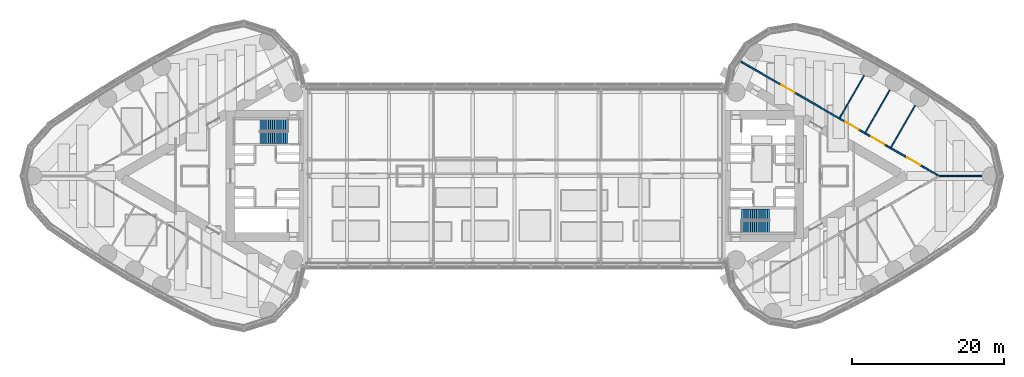
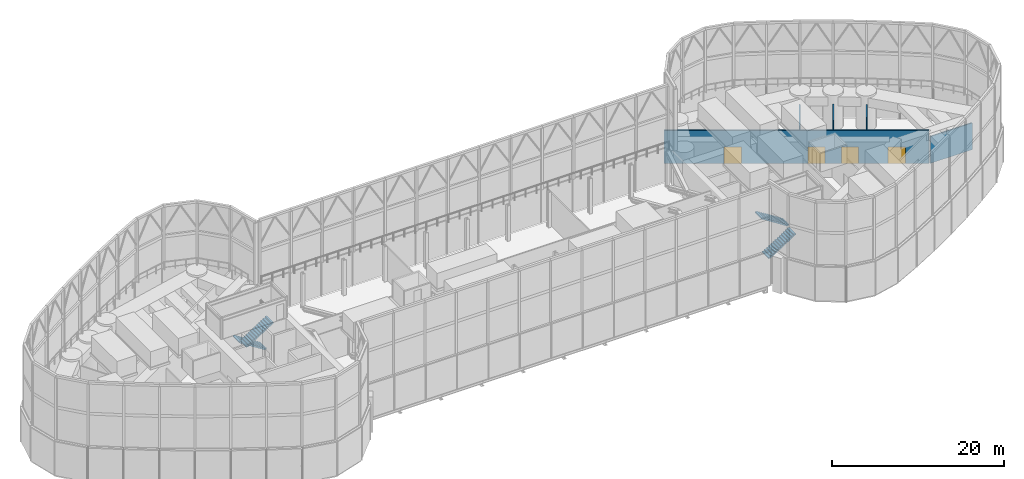
# One storey, part 30 of 33: 5 walls, 4 doors, 4 stair flights, 4 openings, 2 elements without a shape of their own.
"""IFC4 building model written with IfcOpenShell, lengths in metres."""

from ifc_helpers import new_model, si_unit, direction, frame, frame_2d, origin, place, context, subcontext, project, spatial, polyline, rectangle, outline, extrude, material, layer, layer_set, type_object, element, fill, aggregate, save


model = new_model("IFC4")

# Units and contexts
model_context = context("Model", 3, precision=1e-05, world=origin(), true_north=direction((0.0, 1.0)))
body_context = subcontext(model_context, "Body", "Model", "MODEL_VIEW")
ifc_project = project(units=[si_unit("LENGTHUNIT", "METRE"), si_unit("AREAUNIT", "SQUARE_METRE"), si_unit("VOLUMEUNIT", "CUBIC_METRE"), si_unit("PLANEANGLEUNIT", "RADIAN"), si_unit("MASSUNIT", "GRAM", prefix="KILO")], contexts=[model_context])

# Site, building, storey
site_placement = place(None, origin())
site = spatial("IfcSite", under=ifc_project, at=site_placement, CompositionType="ELEMENT")
building_placement = place(site_placement, origin())
building = spatial("IfcBuilding", under=site, at=building_placement, Name="Lancet Gate Hotel", CompositionType="ELEMENT")
storey_placement = place(building_placement, frame((0.0, 0.0, 268.300048828125)))
storey = spatial("IfcBuildingStorey", under=building, at=storey_placement, Name="L70", CompositionType="ELEMENT", Elevation=268.300048828125)

# Wall, openings, doors
ifc_material_1 = material(Name="Gypsum board partition")
ifc_layer_1 = layer(ifc_material_1, 0.199951171875)
ifc_layer_set_1 = layer_set([ifc_layer_1], Name="Corridor wall 200")
wall_type_1 = type_object("IfcWallType", Name="Corridor wall 200", PredefinedType="PARTITIONING", material=ifc_layer_set_1)
wall_1_placement = place(storey_placement, frame((28.958984375, 15.440185546875, 0.0), z_axis=(0.0, 0.0, 1.0), x_axis=(0.866027378611, -0.499996579484, 0.0)))
wall_1 = element("IfcWall", 1, at=wall_1_placement, inside=storey, type_object=wall_type_1, Name="T2 corridor wall 200 L70", PredefinedType="PARTITIONING", context=body_context, shape_type="SweptSolid", body=[
    extrude(rectangle(XDim=30.760498046875, YDim=0.199951171875, at=frame_2d((15.38037109375, 0.0))), origin(), (0.0, 0.0, 1.0), 4.699951171875),
])
opening_1_placement = place(wall_1_placement, frame((26.03173828125, 0.0, 0.0)))
opening_1 = element("IfcOpeningElement", 2, at=opening_1_placement, cuts=wall_1, Name="Opening T2-L70-K205", PredefinedType="OPENING", context=body_context, shape_type="SweptSolid", body=[
    extrude(rectangle(XDim=2.0, YDim=2.39990234375, at=frame_2d((1.0, 1.199951171875))), frame((0.0, 0.10986328125, 0.0), z_axis=(0.0, -1.0, 0.0), x_axis=(1.0, 0.0, 0.0)), (0.0, 0.0, 1.0), 0.219970703125),
])
opening_2_placement = place(wall_1_placement, frame((20.587158203125, 0.0, 0.0)))
opening_2 = element("IfcOpeningElement", 3, at=opening_2_placement, cuts=wall_1, Name="Opening T2-L70-K206", PredefinedType="OPENING", context=body_context, shape_type="SweptSolid", body=[
    extrude(rectangle(XDim=2.0, YDim=2.39990234375, at=frame_2d((1.0, 1.199951171875))), frame((0.0, 0.10986328125, 0.0), z_axis=(0.0, -1.0, 0.0), x_axis=(1.0, 0.0, 0.0)), (0.0, 0.0, 1.0), 0.219970703125),
])
opening_3_placement = place(wall_1_placement, frame((16.7041015625, 0.0, 0.0)))
opening_3 = element("IfcOpeningElement", 4, at=opening_3_placement, cuts=wall_1, Name="Opening T2-L70-K207", PredefinedType="OPENING", context=body_context, shape_type="SweptSolid", body=[
    extrude(rectangle(XDim=2.0, YDim=2.39990234375, at=frame_2d((1.0, 1.199951171875))), frame((0.0, 0.10986328125, 0.0), z_axis=(0.0, -1.0, 0.0), x_axis=(1.0, 0.0, 0.0)), (0.0, 0.0, 1.0), 0.219970703125),
])
opening_4_placement = place(wall_1_placement, frame((6.99365234375, 0.0, 0.0)))
opening_4 = element("IfcOpeningElement", 5, at=opening_4_placement, cuts=wall_1, Name="Opening T2-L70-K208", PredefinedType="OPENING", context=body_context, shape_type="SweptSolid", body=[
    extrude(rectangle(XDim=2.0, YDim=2.39990234375, at=frame_2d((1.0, 1.199951171875))), frame((0.0, 0.10986328125, 0.0), z_axis=(0.0, -1.0, 0.0), x_axis=(1.0, 0.0, 0.0)), (0.0, 0.0, 1.0), 0.219970703125),
])
ifc_material_2 = material(Name="Timber door set", Category="wood")
door_type = type_object("IfcDoorType", Name="Plant room double door 2000", OperationType="DOUBLE_DOOR_SINGLE_SWING", PredefinedType="DOOR", material=ifc_material_2)
door_1_placement = place(opening_1_placement, origin())
door_1 = element("IfcDoor", 6, at=door_1_placement, inside=storey, type_object=door_type, Name="T2-L70-K205", OperationType="DOUBLE_DOOR_SINGLE_SWING", OverallHeight=2.39990234375, OverallWidth=2.0, PredefinedType="DOOR", context=body_context, shape_type="SweptSolid", body=[
    extrude(rectangle(XDim=2.0, YDim=2.39990234375, at=frame_2d((1.0, 1.199951171875))), frame((0.0, 0.02490234375, 0.0), z_axis=(0.0, -1.0, 0.0), x_axis=(1.0, 0.0, 0.0)), (0.0, 0.0, 1.0), 0.050048828125),
])
fill(opening_1, door_1)
door_2_placement = place(opening_2_placement, origin())
door_2 = element("IfcDoor", 7, at=door_2_placement, inside=storey, type_object=door_type, Name="T2-L70-K206", OperationType="DOUBLE_DOOR_SINGLE_SWING", OverallHeight=2.39990234375, OverallWidth=2.0, PredefinedType="DOOR", context=body_context, shape_type="SweptSolid", body=[
    extrude(rectangle(XDim=2.0, YDim=2.39990234375, at=frame_2d((1.0, 1.199951171875))), frame((0.0, 0.02490234375, 0.0), z_axis=(0.0, -1.0, 0.0), x_axis=(1.0, 0.0, 0.0)), (0.0, 0.0, 1.0), 0.050048828125),
])
fill(opening_2, door_2)
door_3_placement = place(opening_3_placement, origin())
door_3 = element("IfcDoor", 8, at=door_3_placement, inside=storey, type_object=door_type, Name="T2-L70-K207", OperationType="DOUBLE_DOOR_SINGLE_SWING", OverallHeight=2.39990234375, OverallWidth=2.0, PredefinedType="DOOR", context=body_context, shape_type="SweptSolid", body=[
    extrude(rectangle(XDim=2.0, YDim=2.39990234375, at=frame_2d((1.0, 1.199951171875))), frame((0.0, 0.02490234375, 0.0), z_axis=(0.0, -1.0, 0.0), x_axis=(1.0, 0.0, 0.0)), (0.0, 0.0, 1.0), 0.050048828125),
])
fill(opening_3, door_3)
door_4_placement = place(opening_4_placement, origin())
door_4 = element("IfcDoor", 9, at=door_4_placement, inside=storey, type_object=door_type, Name="T2-L70-K208", OperationType="DOUBLE_DOOR_SINGLE_SWING", OverallHeight=2.39990234375, OverallWidth=2.0, PredefinedType="DOOR", context=body_context, shape_type="SweptSolid", body=[
    extrude(rectangle(XDim=2.0, YDim=2.39990234375, at=frame_2d((1.0, 1.199951171875))), frame((0.0, 0.02490234375, 0.0), z_axis=(0.0, -1.0, 0.0), x_axis=(1.0, 0.0, 0.0)), (0.0, 0.0, 1.0), 0.050048828125),
])
fill(opening_4, door_4)

# Walls
ifc_material_3 = material(Name="Gypsum board partition")
ifc_layer_2 = layer(ifc_material_3, 0.14990234375)
ifc_layer_set_2 = layer_set([ifc_layer_2], Name="Party wall 150")
wall_type_2 = type_object("IfcWallType", Name="Party wall 150", PredefinedType="PARTITIONING", material=ifc_layer_set_2)
wall_2_placement = place(storey_placement, frame((42.65966796875, 7.6455078125, 0.0), z_axis=(0.0, 0.0, 1.0), x_axis=(0.499996592859, 0.866027370889, 0.0)))
element("IfcWall", 10, at=wall_2_placement, inside=storey, type_object=wall_type_2, Name="T2 party wall 150 L70", PredefinedType="PARTITIONING", context=body_context, shape_type="SweptSolid", body=[
    extrude(rectangle(XDim=6.3984375, YDim=0.14990234375, at=frame_2d((3.19921875, 0.0))), origin(), (0.0, 0.0, 1.0), 3.800048828125),
])
wall_3_placement = place(storey_placement, frame((46.02294921875, 5.703857421875, 0.0), z_axis=(0.0, 0.0, 1.0), x_axis=(0.499984478165, 0.866034365135, 0.0)))
element("IfcWall", 11, at=wall_3_placement, inside=storey, type_object=wall_type_2, Name="T2 party wall 150 L70", PredefinedType="PARTITIONING", context=body_context, shape_type="SweptSolid", body=[
    extrude(rectangle(XDim=6.425537109375, YDim=0.14990234375, at=frame_2d((3.212890625, 0.0))), origin(), (0.0, 0.0, 1.0), 3.800048828125),
])
wall_4_placement = place(storey_placement, frame((49.38525390625, 3.7626953125, 0.0), z_axis=(0.0, 0.0, 1.0), x_axis=(0.499999447814, 0.866025722589, 0.0)))
element("IfcWall", 12, at=wall_4_placement, inside=storey, type_object=wall_type_2, Name="T2 party wall 150 L70", PredefinedType="PARTITIONING", context=body_context, shape_type="SweptSolid", body=[
    extrude(rectangle(XDim=6.33251953125, YDim=0.14990234375, at=frame_2d((3.166259765625, 0.0))), origin(), (0.0, 0.0, 1.0), 3.800048828125),
])
wall_5_placement = place(storey_placement, frame((55.7021484375, 0.0, 0.0), z_axis=(0.0, 0.0, 1.0), x_axis=(1.0, 0.0, 0.0)))
element("IfcWall", 13, at=wall_5_placement, inside=storey, type_object=wall_type_2, Name="T2 party wall 150 L70", PredefinedType="PARTITIONING", context=body_context, shape_type="SweptSolid", body=[
    extrude(rectangle(XDim=5.619384765625, YDim=0.14990234375, at=frame_2d((2.8095703125, 0.0))), origin(), (0.0, 0.0, 1.0), 3.800048828125),
])

# Stair, stair flights
ifc_material_4 = material(Name="Exit stair 28 risers 1500")
stair_type = type_object("IfcStairType", Name="Exit stair 28 risers 1500", PredefinedType="HALF_TURN_STAIR", material=ifc_material_4)
stair_1_placement = place(storey_placement, origin())
stair_1 = element("IfcStair", 14, at=stair_1_placement, inside=storey, type_object=stair_type, Name="T1 stair 1 L70", PredefinedType="HALF_TURN_STAIR")
ifc_material_5 = material(Name="Stair flight 14 risers 179 rise 1500")
stair_flight_type = type_object("IfcStairFlightType", Name="Stair flight 14 risers 179 rise 1500", PredefinedType="STRAIGHT", material=ifc_material_5)
stair_flight_1_placement = place(storey_placement, frame((-29.800048828125, 6.64990234375, 0.0), z_axis=(0.0, 0.0, 1.0), x_axis=(-1.0, 0.0, 0.0)))
stair_flight_1 = element("IfcStairFlight", 15, at=stair_flight_1_placement, type_object=stair_flight_type, Name="ST1 flight 1", NumberOfRisers=14, NumberOfTreads=13, PredefinedType="STRAIGHT", RiserHeight=0.178571429, TreadLength=0.28, context=body_context, shape_type="SweptSolid", body=[
    extrude(outline(polyline([(0.0, 0.0), (0.0, 0.178466796875), (0.280029296875, 0.178466796875), (0.280029296875, 0.357177734375), (0.56005859375, 0.357177734375), (0.56005859375, 0.53564453125), (0.840087890625, 0.53564453125), (0.840087890625, 0.71435546875), (1.1201171875, 0.71435546875), (1.1201171875, 0.892822265625), (1.39990234375, 0.892822265625), (1.39990234375, 1.071533203125), (1.679931640625, 1.071533203125), (1.679931640625, 1.25), (1.9599609375, 1.25), (1.9599609375, 1.428466796875), (2.239990234375, 1.428466796875), (2.239990234375, 1.607177734375), (2.52001953125, 1.607177734375), (2.52001953125, 1.78564453125), (2.800048828125, 1.78564453125), (2.800048828125, 1.96435546875), (3.080078125, 1.96435546875), (3.080078125, 2.142822265625), (3.360107421875, 2.142822265625), (3.360107421875, 2.321533203125), (3.639892578125, 2.321533203125), (3.639892578125, 2.5), (3.639892578125, 2.1435546875), (0.27880859375, 0.0), (0.0, 0.0)])), frame((0.0, 0.75, 0.0), z_axis=(0.0, -1.0, 0.0), x_axis=(1.0, 0.0, 0.0)), (0.0, 0.0, 1.0), 1.5),
])
stair_flight_2_placement = place(storey_placement, frame((-33.43994140625, 5.050048828125, 2.5), z_axis=(0.0, 0.0, 1.0), x_axis=(1.0, 0.0, 0.0)))
stair_flight_2 = element("IfcStairFlight", 16, at=stair_flight_2_placement, type_object=stair_flight_type, Name="ST1 flight 2", NumberOfRisers=14, NumberOfTreads=13, PredefinedType="STRAIGHT", RiserHeight=0.178571429, TreadLength=0.28, context=body_context, shape_type="SweptSolid", body=[
    extrude(outline(polyline([(0.0, 0.0), (0.0, 0.178466796875), (0.280029296875, 0.178466796875), (0.280029296875, 0.357177734375), (0.56005859375, 0.357177734375), (0.56005859375, 0.53564453125), (0.840087890625, 0.53564453125), (0.840087890625, 0.71435546875), (1.1201171875, 0.71435546875), (1.1201171875, 0.892822265625), (1.39990234375, 0.892822265625), (1.39990234375, 1.071533203125), (1.679931640625, 1.071533203125), (1.679931640625, 1.25), (1.9599609375, 1.25), (1.9599609375, 1.428466796875), (2.239990234375, 1.428466796875), (2.239990234375, 1.607177734375), (2.52001953125, 1.607177734375), (2.52001953125, 1.78564453125), (2.800048828125, 1.78564453125), (2.800048828125, 1.96435546875), (3.080078125, 1.96435546875), (3.080078125, 2.142822265625), (3.360107421875, 2.142822265625), (3.360107421875, 2.321533203125), (3.639892578125, 2.321533203125), (3.639892578125, 2.5), (3.639892578125, 2.1435546875), (0.27880859375, 0.0), (0.0, 0.0)])), frame((0.0, 0.75, 0.0), z_axis=(0.0, -1.0, 0.0), x_axis=(1.0, 0.0, 0.0)), (0.0, 0.0, 1.0), 1.5),
])
aggregate(stair_1, [stair_flight_1, stair_flight_2])

stair_2_placement = place(storey_placement, origin())
stair_2 = element("IfcStair", 17, at=stair_2_placement, inside=storey, type_object=stair_type, Name="T2 stair 1 L70", PredefinedType="HALF_TURN_STAIR")
stair_flight_3_placement = place(storey_placement, frame((29.800048828125, -6.64990234375, 0.0), z_axis=(0.0, 0.0, 1.0), x_axis=(1.0, 0.0, 0.0)))
stair_flight_3 = element("IfcStairFlight", 18, at=stair_flight_3_placement, type_object=stair_flight_type, Name="ST3 flight 1", NumberOfRisers=14, NumberOfTreads=13, PredefinedType="STRAIGHT", RiserHeight=0.178571429, TreadLength=0.28, context=body_context, shape_type="SweptSolid", body=[
    extrude(outline(polyline([(0.0, 0.0), (0.0, 0.178466796875), (0.280029296875, 0.178466796875), (0.280029296875, 0.357177734375), (0.56005859375, 0.357177734375), (0.56005859375, 0.53564453125), (0.840087890625, 0.53564453125), (0.840087890625, 0.71435546875), (1.1201171875, 0.71435546875), (1.1201171875, 0.892822265625), (1.39990234375, 0.892822265625), (1.39990234375, 1.071533203125), (1.679931640625, 1.071533203125), (1.679931640625, 1.25), (1.9599609375, 1.25), (1.9599609375, 1.428466796875), (2.239990234375, 1.428466796875), (2.239990234375, 1.607177734375), (2.52001953125, 1.607177734375), (2.52001953125, 1.78564453125), (2.800048828125, 1.78564453125), (2.800048828125, 1.96435546875), (3.080078125, 1.96435546875), (3.080078125, 2.142822265625), (3.360107421875, 2.142822265625), (3.360107421875, 2.321533203125), (3.639892578125, 2.321533203125), (3.639892578125, 2.5), (3.639892578125, 2.1435546875), (0.27880859375, 0.0), (0.0, 0.0)])), frame((0.0, 0.75, 0.0), z_axis=(0.0, -1.0, 0.0), x_axis=(1.0, 0.0, 0.0)), (0.0, 0.0, 1.0), 1.5),
])
stair_flight_4_placement = place(storey_placement, frame((33.43994140625, -5.050048828125, 2.5), z_axis=(0.0, 0.0, 1.0), x_axis=(-1.0, 0.0, 0.0)))
stair_flight_4 = element("IfcStairFlight", 19, at=stair_flight_4_placement, type_object=stair_flight_type, Name="ST3 flight 2", NumberOfRisers=14, NumberOfTreads=13, PredefinedType="STRAIGHT", RiserHeight=0.178571429, TreadLength=0.28, context=body_context, shape_type="SweptSolid", body=[
    extrude(outline(polyline([(0.0, 0.0), (0.0, 0.178466796875), (0.280029296875, 0.178466796875), (0.280029296875, 0.357177734375), (0.56005859375, 0.357177734375), (0.56005859375, 0.53564453125), (0.840087890625, 0.53564453125), (0.840087890625, 0.71435546875), (1.1201171875, 0.71435546875), (1.1201171875, 0.892822265625), (1.39990234375, 0.892822265625), (1.39990234375, 1.071533203125), (1.679931640625, 1.071533203125), (1.679931640625, 1.25), (1.9599609375, 1.25), (1.9599609375, 1.428466796875), (2.239990234375, 1.428466796875), (2.239990234375, 1.607177734375), (2.52001953125, 1.607177734375), (2.52001953125, 1.78564453125), (2.800048828125, 1.78564453125), (2.800048828125, 1.96435546875), (3.080078125, 1.96435546875), (3.080078125, 2.142822265625), (3.360107421875, 2.142822265625), (3.360107421875, 2.321533203125), (3.639892578125, 2.321533203125), (3.639892578125, 2.5), (3.639892578125, 2.1435546875), (0.27880859375, 0.0), (0.0, 0.0)])), frame((0.0, 0.75, 0.0), z_axis=(0.0, -1.0, 0.0), x_axis=(1.0, 0.0, 0.0)), (0.0, 0.0, 1.0), 1.5),
])
aggregate(stair_2, [stair_flight_3, stair_flight_4])

save(model, "model.ifc")
